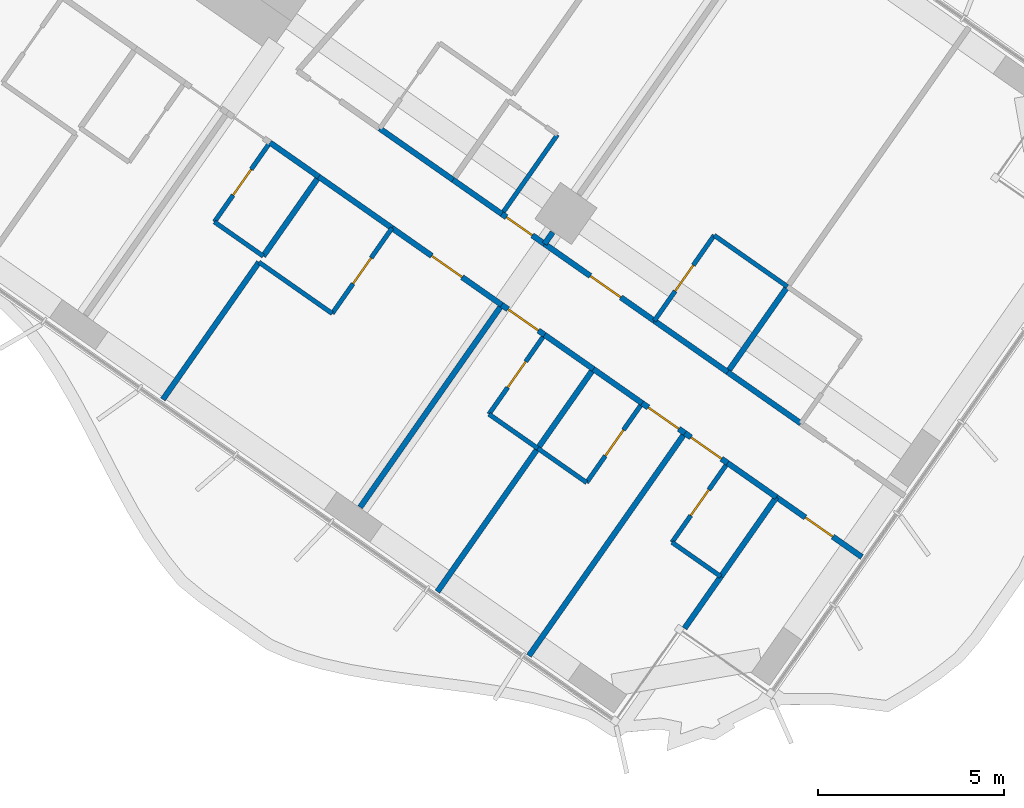
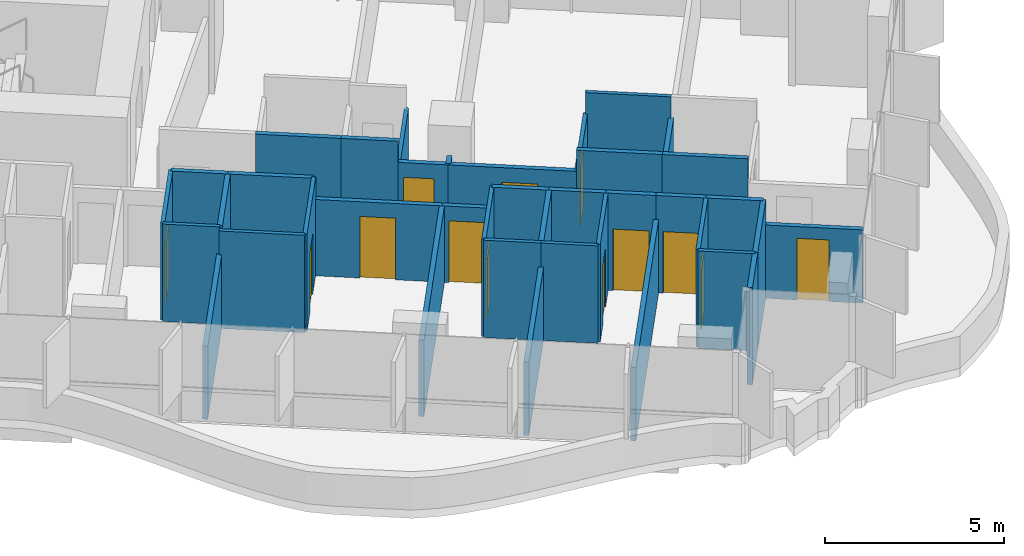
# One storey, part 17 of 25: 39 walls, 13 doors, 13 openings.
"""IFC4 building model written with IfcOpenShell, lengths in metres."""

import ifcopenshell
import ifcopenshell.guid

model = None  # the IFC model being written
_history = None  # IfcOwnerHistory: only IFC2X3 demands one
_inside = {}  # id of a spatial element -> (the spatial element, [elements in it])
_under = {}  # id of a project, library or spatial element -> (it, [spatial elements below it])
_declared = {}  # id of a project -> (the project, [libraries it declares])
_typed = {}  # id of a type object -> (the type object, [elements of that type])
_made_of = {}  # id of a material, layer set ... -> (it, [elements and type objects made of it])


def new_model(schema):
    """Start an empty IFC model of exactly this schema.

    Asked for "IFC4X3", IfcOpenShell would pick the latest addendum, in which some entities
    have other attributes; the version numbers below select the first issue.
    IFC2X3 requires an IfcOwnerHistory on every rooted entity: one is made here for all.
    """
    global model, _history
    if schema == "IFC4X3":
        model = ifcopenshell.file(schema_version=(4, 3, 0, 0))
    else:
        model = ifcopenshell.file(schema=schema)
    _inside.clear()
    _under.clear()
    _declared.clear()
    _typed.clear()
    _made_of.clear()
    _history = None
    if model.schema == "IFC2X3":
        org = make("IfcOrganization", Name="unknown")
        user = make(
            "IfcPersonAndOrganization",
            ThePerson=make("IfcPerson", FamilyName="unknown"),
            TheOrganization=org,
        )
        app = make(
            "IfcApplication",
            ApplicationDeveloper=org,
            Version="unknown",
            ApplicationFullName="unknown",
            ApplicationIdentifier="unknown",
        )
        _history = make(
            "IfcOwnerHistory",
            OwningUser=user,
            OwningApplication=app,
            ChangeAction="ADDED",
            CreationDate=0,
        )
    return model


def make(cls, **values):
    """One entity of the class cls with the attributes given. An attribute that is None is left unset."""
    return model.create_entity(
        cls, **{name: value for name, value in values.items() if value is not None}
    )


def rooted(cls, **values):
    """An entity with a GlobalId (a new one), such as an element, a storey or a relation."""
    return make(cls, GlobalId=ifcopenshell.guid.new(), OwnerHistory=_history, **values)


def si_unit(unit_type, name, prefix=None):
    """IfcSIUnit, for example si_unit("LENGTHUNIT", "METRE", prefix="MILLI")."""
    return make("IfcSIUnit", UnitType=unit_type, Prefix=prefix, Name=name)


def assignment(units):
    """IfcUnitAssignment: the units of a project."""
    return None if units is None else make("IfcUnitAssignment", Units=units)


def point(xyz):
    """IfcCartesianPoint."""
    return None if xyz is None else make("IfcCartesianPoint", Coordinates=xyz)


def direction(xyz):
    """IfcDirection."""
    return None if xyz is None else make("IfcDirection", DirectionRatios=xyz)


def frame(location, z_axis=None, x_axis=None):
    """IfcAxis2Placement3D, a coordinate frame: its origin and axes. An axis left out is left unset."""
    return make(
        "IfcAxis2Placement3D",
        Location=point(location),
        Axis=direction(z_axis),
        RefDirection=direction(x_axis),
    )


def frame_2d(location, x_axis=None):
    """IfcAxis2Placement2D, a coordinate frame in the plane: its origin and x axis."""
    return make(
        "IfcAxis2Placement2D", Location=point(location), RefDirection=direction(x_axis)
    )


def origin():
    """The frame at (0, 0, 0) with its axes left unset."""
    return frame((0.0, 0.0, 0.0))


def place(relative_to, where):
    """IfcLocalPlacement: puts the frame where relative to a parent placement (None: the world)."""
    return make(
        "IfcLocalPlacement", PlacementRelTo=relative_to, RelativePlacement=where
    )


def context(
    kind, dimensions, precision=None, world=None, true_north=None, identifier=None
):
    """IfcGeometricRepresentationContext, for example the 3D "Model" context."""
    return make(
        "IfcGeometricRepresentationContext",
        ContextIdentifier=identifier,
        ContextType=kind,
        CoordinateSpaceDimension=dimensions,
        Precision=precision,
        WorldCoordinateSystem=world,
        TrueNorth=true_north,
    )


def subcontext(parent, identifier, kind, view, scale=None):
    """IfcGeometricRepresentationSubContext, for example "Body" below "Model"."""
    return make(
        "IfcGeometricRepresentationSubContext",
        ContextIdentifier=identifier,
        ContextType=kind,
        ParentContext=parent,
        TargetScale=scale,
        TargetView=view,
    )


def project(units=None, contexts=None):
    """IfcProject with its units and contexts."""
    return rooted(
        "IfcProject",
        Name="project",
        RepresentationContexts=contexts,
        UnitsInContext=assignment(units),
    )


def spatial(cls, under=None, at=None, **own):
    """A site, building, storey or space (cls), placed at a placement, below another one or the project."""
    s = rooted(cls, ObjectPlacement=at, **own)
    if under is not None:
        _under.setdefault(under.id(), (under, []))[1].append(s)
    return s


def profile(cls, at=None, kind="AREA", **sizes):
    """A parametric profile (cls). Its sizes go by their IFC names, for example OverallWidth=200.0."""
    return make(cls, ProfileType=kind, Position=at, **sizes)


def rectangle(**sizes):
    """IfcRectangleProfileDef."""
    return profile("IfcRectangleProfileDef", **sizes)


def extrude(swept, where, along, depth):
    """IfcExtrudedAreaSolid: the profile swept, set in the frame where, extruded along a direction by depth."""
    return make(
        "IfcExtrudedAreaSolid",
        SweptArea=swept,
        Position=where,
        ExtrudedDirection=direction(along),
        Depth=depth,
    )


def shape(context_of_items, identifier, shape_type, items):
    """IfcShapeRepresentation: the items that make up one representation, for example the "Body"."""
    return make(
        "IfcShapeRepresentation",
        ContextOfItems=context_of_items,
        RepresentationIdentifier=identifier,
        RepresentationType=shape_type,
        Items=items,
    )


def material(Name=None, Category=None):
    """IfcMaterial."""
    return make("IfcMaterial", Name=Name, Category=Category)


def layer(
    of_material, thickness, ventilated=None, Name=None, Category=None, Priority=None
):
    """IfcMaterialLayer: one layer of a wall or slab, of a material (None: an air gap)."""
    return make(
        "IfcMaterialLayer",
        Material=of_material,
        LayerThickness=thickness,
        IsVentilated=ventilated,
        Name=Name,
        Category=Category,
        Priority=Priority,
    )


def layer_set(layers, Name=None):
    """IfcMaterialLayerSet."""
    return make("IfcMaterialLayerSet", MaterialLayers=layers, LayerSetName=Name)


def made_of(thing, what):
    """Note that an element or type object is made of a material, layer set ...; save() writes the relation."""
    if what is not None:
        _made_of.setdefault(what.id(), (what, []))[1].append(thing)
    return thing


def type_object(cls, material=None, **own):
    """A type object (cls), such as IfcWallType, which elements share."""
    return made_of(rooted(cls, **own), material)


def element(
    cls,
    number,
    at=None,
    inside=None,
    cuts=None,
    type_object=None,
    material=None,
    context=None,
    identifier="Body",
    shape_type=None,
    held_by="IfcProductDefinitionShape",
    body=None,
    shapes=None,
    **own,
):
    """One element of the class cls, such as IfcWall. Its Tag is "e" and its number.

    at: its placement. inside: the storey or other place that contains it. cuts: it is an
    opening in that element (IfcRelVoidsElement). A single representation is given by context,
    identifier, shape_type and body (its items); several are given by shapes. held_by: the class
    of the entity that holds the representations. save() writes the other relations.
    """
    e = rooted(cls, Tag="e%d" % number, ObjectPlacement=at, **own)
    if body is not None:
        shapes = [shape(context, identifier, shape_type, body)]
    if shapes is not None:
        e.Representation = make(held_by, Representations=shapes)
    if inside is not None:
        _inside.setdefault(inside.id(), (inside, []))[1].append(e)
    if cuts is not None:
        rooted(
            "IfcRelVoidsElement", RelatingBuildingElement=cuts, RelatedOpeningElement=e
        )
    if type_object is not None:
        _typed.setdefault(type_object.id(), (type_object, []))[1].append(e)
    return made_of(e, material)


def fill(opening, filler):
    """IfcRelFillsElement: the door or window that sits in an opening."""
    return rooted(
        "IfcRelFillsElement",
        RelatingOpeningElement=opening,
        RelatedBuildingElement=filler,
    )


def aggregate(whole, parts):
    """IfcRelAggregates: a whole, such as a stair, and the parts it consists of."""
    return rooted("IfcRelAggregates", RelatingObject=whole, RelatedObjects=parts)


def save(model, path):
    """Write the relations noted so far, then the file.

    IfcRelAggregates (storeys below a building ...), IfcRelContainedInSpatialStructure (elements
    in a storey), IfcRelDefinesByType, IfcRelAssociatesMaterial and IfcRelDeclares: one each for
    every whole, place, type object, material and project.
    """
    for whole, parts in _under.values():
        aggregate(whole, parts)
    for where, things in _inside.values():
        rooted(
            "IfcRelContainedInSpatialStructure",
            RelatedElements=things,
            RelatingStructure=where,
        )
    for kind, things in _typed.values():
        rooted("IfcRelDefinesByType", RelatedObjects=things, RelatingType=kind)
    for what, things in _made_of.values():
        rooted("IfcRelAssociatesMaterial", RelatedObjects=things, RelatingMaterial=what)
    for by, libraries in _declared.values():
        rooted("IfcRelDeclares", RelatingContext=by, RelatedDefinitions=libraries)
    model.write(path)


model = new_model("IFC4")

# Units and contexts
model_context = context("Model", 3, precision=1e-05, world=origin(), true_north=direction((0.0, 1.0)))
body_context = subcontext(model_context, "Body", "Model", "MODEL_VIEW")
ifc_project = project(units=[si_unit("LENGTHUNIT", "METRE"), si_unit("AREAUNIT", "SQUARE_METRE"), si_unit("VOLUMEUNIT", "CUBIC_METRE"), si_unit("PLANEANGLEUNIT", "RADIAN"), si_unit("MASSUNIT", "GRAM", prefix="KILO")], contexts=[model_context])

# Site, building, storey
site_placement = place(None, origin())
site = spatial("IfcSite", under=ifc_project, at=site_placement, CompositionType="ELEMENT")
building_placement = place(site_placement, origin())
building = spatial("IfcBuilding", under=site, at=building_placement, Name="Tel Ilan Convention Tower", CompositionType="ELEMENT")
storey_placement = place(building_placement, frame((0.0, 0.0, 54.5)))
storey = spatial("IfcBuildingStorey", under=building, at=storey_placement, Name="L08", CompositionType="ELEMENT", Elevation=54.5)

# Wall
ifc_material_1 = material(Name="Plasterboard on Steel Studs", Category="steel")
ifc_layer_1 = layer(ifc_material_1, 0.14990234375)
ifc_layer_set_1 = layer_set([ifc_layer_1], Name="Fire-rated Partition 150 EI 60")
wall_type_1 = type_object("IfcWallType", Name="Fire-rated Partition 150 EI 60", PredefinedType="PARTITIONING", material=ifc_layer_set_1)
wall_1_placement = place(storey_placement, frame((24.49072265625, -18.369384765625, 0.0), z_axis=(0.0, 0.0, 1.0), x_axis=(0.819179439794, -0.573537309527, 0.0)))
element("IfcWall", 1, at=wall_1_placement, inside=storey, type_object=wall_type_1, Name="Partition 002", PredefinedType="PARTITIONING", context=body_context, shape_type="SweptSolid", body=[
    extrude(rectangle(XDim=2.404296875, YDim=0.14990234375, at=frame_2d((1.2021484375, 0.0))), origin(), (0.0, 0.0, 1.0), 3.320068359375),
])

# Wall, opening, door
wall_2_placement = place(storey_placement, frame((28.91748046875, -21.468994140625, 0.0), z_axis=(0.0, 0.0, 1.0), x_axis=(-0.81914197737, 0.573590813132, 0.0)))
wall_2 = element("IfcWall", 2, at=wall_2_placement, inside=storey, type_object=wall_type_1, Name="Partition 003", PredefinedType="PARTITIONING", context=body_context, shape_type="SweptSolid", body=[
    extrude(rectangle(XDim=1.40283203125, YDim=0.14990234375, at=frame_2d((0.701416015625, 0.0))), origin(), (0.0, 0.0, 1.0), 2.60009765625),
])
opening_1_placement = place(wall_2_placement, frame((0.403076171875, 0.0, 0.0)))
opening_1 = element("IfcOpeningElement", 3, at=opening_1_placement, cuts=wall_2, Name="Opening L08-046", PredefinedType="OPENING", context=body_context, shape_type="SweptSolid", body=[
    extrude(rectangle(XDim=0.85009765625, YDim=2.10009765625, at=frame_2d((0.425048828125, 1.050048828125))), frame((0.0, 0.0849609375, 0.0), z_axis=(0.0, -1.0, 0.0), x_axis=(1.0, 0.0, 0.0)), (0.0, 0.0, 1.0), 0.169921875),
])
ifc_material_2 = material(Name="Timber Door Leaf in Steel Frame", Category="steel")
door_type_1 = type_object("IfcDoorType", Name="Room Fire Door 850x2100", OperationType="NOTDEFINED", PredefinedType="DOOR", material=ifc_material_2)
door_1_placement = place(opening_1_placement, origin())
door_1 = element("IfcDoor", 4, at=door_1_placement, inside=storey, type_object=door_type_1, Name="Door L08-046", OperationType="SINGLE_SWING_RIGHT", OverallHeight=2.10009765625, OverallWidth=0.85009765625, PredefinedType="DOOR", context=body_context, shape_type="SweptSolid", body=[
    extrude(rectangle(XDim=0.85009765625, YDim=2.10009765625, at=frame_2d((0.425048828125, 1.050048828125))), frame((0.0, 0.02490234375, 0.0), z_axis=(0.0, -1.0, 0.0), x_axis=(1.0, 0.0, 0.0)), (0.0, 0.0, 1.0), 0.050048828125),
])
fill(opening_1, door_1)

# Wall
wall_3_placement = place(storey_placement, frame((26.456787109375, -19.74609375, 0.0), z_axis=(0.0, 0.0, 1.0), x_axis=(0.819189013667, -0.573523634986, 0.0)))
element("IfcWall", 5, at=wall_3_placement, inside=storey, type_object=wall_type_1, Name="Partition 004", PredefinedType="PARTITIONING", context=body_context, shape_type="SweptSolid", body=[
    extrude(rectangle(XDim=1.60400390625, YDim=0.14990234375, at=frame_2d((0.802001953125, 0.0))), origin(), (0.0, 0.0, 1.0), 3.320068359375),
])

# Wall, opening, door
wall_4_placement = place(storey_placement, frame((28.914306640625, -21.466796875, 0.0), z_axis=(0.0, 0.0, 1.0), x_axis=(0.819145961204, -0.573585123798, 0.0)))
wall_4 = element("IfcWall", 6, at=wall_4_placement, inside=storey, type_object=wall_type_1, Name="Partition 005", PredefinedType="PARTITIONING", context=body_context, shape_type="SweptSolid", body=[
    extrude(rectangle(XDim=3.60302734375, YDim=0.14990234375, at=frame_2d((1.801513671875, 0.0))), origin(), (0.0, 0.0, 1.0), 2.60009765625),
])
opening_2_placement = place(wall_4_placement, frame((1.501953125, 0.0, 0.0)))
opening_2 = element("IfcOpeningElement", 7, at=opening_2_placement, cuts=wall_4, Name="Opening L08-048", PredefinedType="OPENING", context=body_context, shape_type="SweptSolid", body=[
    extrude(rectangle(XDim=1.0, YDim=2.10009765625, at=frame_2d((0.5, 1.050048828125))), frame((0.0, 0.0849609375, 0.0), z_axis=(0.0, -1.0, 0.0), x_axis=(1.0, 0.0, 0.0)), (0.0, 0.0, 1.0), 0.169921875),
])
ifc_material_3 = material(Name="Timber Door Leaf in Steel Frame", Category="steel")
door_type_2 = type_object("IfcDoorType", Name="Hotel Room Entrance Fire Door 1000x2100", OperationType="NOTDEFINED", PredefinedType="DOOR", material=ifc_material_3)
door_2_placement = place(opening_2_placement, origin())
door_2 = element("IfcDoor", 8, at=door_2_placement, inside=storey, type_object=door_type_2, Name="Door L08-048", OperationType="SINGLE_SWING_RIGHT", OverallHeight=2.10009765625, OverallWidth=1.0, PredefinedType="DOOR", context=body_context, shape_type="SweptSolid", body=[
    extrude(rectangle(XDim=1.0, YDim=2.10009765625, at=frame_2d((0.5, 1.050048828125))), frame((0.0, 0.02490234375, 0.0), z_axis=(0.0, -1.0, 0.0), x_axis=(1.0, 0.0, 0.0)), (0.0, 0.0, 1.0), 0.050048828125),
])
fill(opening_2, door_2)

# Walls
for number, where, z_axis, x_axis, name in (
    (9, (31.86328125, -23.531494140625, 0.0), (0.0, 0.0, 1.0), (0.819146032251, -0.573585022335, 0.0), "Partition 006"),
    (10, (33.8291015625, -24.908203125, 0.0), (0.0, 0.0, 1.0), (0.819146032251, -0.573585022335, 0.0), "Partition 008"),
):
    element("IfcWall", number, at=place(storey_placement, frame(where, z_axis=z_axis, x_axis=x_axis)), inside=storey, type_object=wall_type_1, Name=name, PredefinedType="PARTITIONING", context=body_context, shape_type="SweptSolid", body=[
        extrude(rectangle(XDim=2.404052734375, YDim=0.14990234375, at=frame_2d((1.2021484375, 0.0))), origin(), (0.0, 0.0, 1.0), 3.320068359375),
    ])

# Wall, opening, door
wall_5_placement = place(storey_placement, frame((37.434814453125, -29.87451171875, 0.0), z_axis=(0.0, 0.0, 1.0), x_axis=(-0.819125488359, 0.573614360281, 0.0)))
wall_5 = element("IfcWall", 11, at=wall_5_placement, inside=storey, type_object=wall_type_1, Name="Partition 010", PredefinedType="PARTITIONING", context=body_context, shape_type="SweptSolid", body=[
    extrude(rectangle(XDim=2.80224609375, YDim=0.14990234375, at=frame_2d((1.401123046875, 0.0))), origin(), (0.0, 0.0, 1.0), 2.5),
])
opening_3_placement = place(wall_5_placement, frame((0.950927734375, 0.0, 0.0)))
opening_3 = element("IfcOpeningElement", 12, at=opening_3_placement, cuts=wall_5, Name="Opening L08-042", PredefinedType="OPENING", context=body_context, shape_type="SweptSolid", body=[
    extrude(rectangle(XDim=0.89990234375, YDim=2.10009765625, at=frame_2d((0.449951171875, 1.050048828125))), frame((0.0, 0.0849609375, 0.0), z_axis=(0.0, -1.0, 0.0), x_axis=(1.0, 0.0, 0.0)), (0.0, 0.0, 1.0), 0.169921875),
])
ifc_material_4 = material(Name="Timber Door Leaf in Steel Frame", Category="steel")
door_type_3 = type_object("IfcDoorType", Name="Room Fire Door 900x2100", OperationType="NOTDEFINED", PredefinedType="DOOR", material=ifc_material_4)
door_3_placement = place(opening_3_placement, origin())
door_3 = element("IfcDoor", 13, at=door_3_placement, inside=storey, type_object=door_type_3, Name="Door L08-042", OperationType="SINGLE_SWING_RIGHT", OverallHeight=2.10009765625, OverallWidth=0.89990234375, PredefinedType="DOOR", context=body_context, shape_type="SweptSolid", body=[
    extrude(rectangle(XDim=0.89990234375, YDim=2.10009765625, at=frame_2d((0.449951171875, 1.050048828125))), frame((0.0, 0.02490234375, 0.0), z_axis=(0.0, -1.0, 0.0), x_axis=(1.0, 0.0, 0.0)), (0.0, 0.0, 1.0), 0.050048828125),
])
fill(opening_3, door_3)

# Wall
wall_6_placement = place(storey_placement, frame((22.85546875, -19.666015625, 0.0), z_axis=(0.0, 0.0, 1.0), x_axis=(-0.819117502046, 0.573625764625, 0.0)))
element("IfcWall", 14, at=wall_6_placement, inside=storey, type_object=wall_type_1, Name="Partition 019", PredefinedType="PARTITIONING", context=body_context, shape_type="SweptSolid", body=[
    extrude(rectangle(XDim=1.60400390625, YDim=0.14990234375, at=frame_2d((0.802001953125, 0.0))), origin(), (0.0, 0.0, 1.0), 3.320068359375),
])

# Wall, opening, door
wall_7_placement = place(storey_placement, frame((27.7705078125, -23.107421875, 0.0), z_axis=(0.0, 0.0, 1.0), x_axis=(-0.819145961204, 0.573585123798, 0.0)))
wall_7 = element("IfcWall", 15, at=wall_7_placement, inside=storey, type_object=wall_type_1, Name="Partition 020", PredefinedType="PARTITIONING", context=body_context, shape_type="SweptSolid", body=[
    extrude(rectangle(XDim=3.60302734375, YDim=0.14990234375, at=frame_2d((1.801513671875, 0.0))), origin(), (0.0, 0.0, 1.0), 2.60009765625),
])
opening_4_placement = place(wall_7_placement, frame((1.302001953125, 0.0, 0.0)))
opening_4 = element("IfcOpeningElement", 16, at=opening_4_placement, cuts=wall_7, Name="Opening L08-035", PredefinedType="OPENING", context=body_context, shape_type="SweptSolid", body=[
    extrude(rectangle(XDim=1.0, YDim=2.10009765625, at=frame_2d((0.5, 1.050048828125))), frame((0.0, 0.0849609375, 0.0), z_axis=(0.0, -1.0, 0.0), x_axis=(1.0, 0.0, 0.0)), (0.0, 0.0, 1.0), 0.169921875),
])
door_4_placement = place(opening_4_placement, origin())
door_4 = element("IfcDoor", 17, at=door_4_placement, inside=storey, type_object=door_type_2, Name="Door L08-035", OperationType="SINGLE_SWING_LEFT", OverallHeight=2.10009765625, OverallWidth=1.0, PredefinedType="DOOR", context=body_context, shape_type="SweptSolid", body=[
    extrude(rectangle(XDim=1.0, YDim=2.10009765625, at=frame_2d((0.5, 1.050048828125))), frame((0.0, 0.02490234375, 0.0), z_axis=(0.0, -1.0, 0.0), x_axis=(1.0, 0.0, 0.0)), (0.0, 0.0, 1.0), 0.050048828125),
])
fill(opening_4, door_4)

# Wall
wall_8_placement = place(storey_placement, frame((24.8212890625, -21.04248046875, 0.0), z_axis=(0.0, 0.0, 1.0), x_axis=(-0.81911261637, 0.573632741136, 0.0)))
element("IfcWall", 18, at=wall_8_placement, inside=storey, type_object=wall_type_1, Name="Partition 021", PredefinedType="PARTITIONING", context=body_context, shape_type="SweptSolid", body=[
    extrude(rectangle(XDim=2.40380859375, YDim=0.14990234375, at=frame_2d((1.201904296875, 0.0))), origin(), (0.0, 0.0, 1.0), 3.320068359375),
])

# Wall, opening, door
wall_9_placement = place(storey_placement, frame((28.91650390625, -23.909912109375, 0.0), z_axis=(0.0, 0.0, 1.0), x_axis=(-0.819117471667, 0.573625808005, 0.0)))
wall_9 = element("IfcWall", 19, at=wall_9_placement, inside=storey, type_object=wall_type_1, Name="Partition 022", PredefinedType="PARTITIONING", context=body_context, shape_type="SweptSolid", body=[
    extrude(rectangle(XDim=1.4033203125, YDim=0.14990234375, at=frame_2d((0.70166015625, 0.0))), origin(), (0.0, 0.0, 1.0), 2.60009765625),
])
opening_5_placement = place(wall_9_placement, frame((0.200927734375, 0.0, 0.0)))
opening_5 = element("IfcOpeningElement", 20, at=opening_5_placement, cuts=wall_9, Name="Opening L08-037", PredefinedType="OPENING", context=body_context, shape_type="SweptSolid", body=[
    extrude(rectangle(XDim=1.0, YDim=2.10009765625, at=frame_2d((0.5, 1.050048828125))), frame((0.0, 0.0849609375, 0.0), z_axis=(0.0, -1.0, 0.0), x_axis=(1.0, 0.0, 0.0)), (0.0, 0.0, 1.0), 0.169921875),
])
door_5_placement = place(opening_5_placement, origin())
door_5 = element("IfcDoor", 21, at=door_5_placement, inside=storey, type_object=door_type_2, Name="Door L08-037", OperationType="SINGLE_SWING_RIGHT", OverallHeight=2.10009765625, OverallWidth=1.0, PredefinedType="DOOR", context=body_context, shape_type="SweptSolid", body=[
    extrude(rectangle(XDim=1.0, YDim=2.10009765625, at=frame_2d((0.5, 1.050048828125))), frame((0.0, 0.02490234375, 0.0), z_axis=(0.0, -1.0, 0.0), x_axis=(1.0, 0.0, 0.0)), (0.0, 0.0, 1.0), 0.050048828125),
])
fill(opening_5, door_5)

# Wall
wall_10_placement = place(storey_placement, frame((30.227783203125, -24.828125, 0.0), z_axis=(0.0, 0.0, 1.0), x_axis=(-0.819189013667, 0.573523634986, 0.0)))
element("IfcWall", 22, at=wall_10_placement, inside=storey, type_object=wall_type_1, Name="Partition 023", PredefinedType="PARTITIONING", context=body_context, shape_type="SweptSolid", body=[
    extrude(rectangle(XDim=1.60400390625, YDim=0.14990234375, at=frame_2d((0.802001953125, 0.0))), origin(), (0.0, 0.0, 1.0), 3.320068359375),
])

# Wall, opening, door
wall_11_placement = place(storey_placement, frame((32.685302734375, -26.548828125, 0.0), z_axis=(0.0, 0.0, 1.0), x_axis=(-0.819199220913, 0.573509055252, 0.0)))
wall_11 = element("IfcWall", 23, at=wall_11_placement, inside=storey, type_object=wall_type_1, Name="Partition 024", PredefinedType="PARTITIONING", context=body_context, shape_type="SweptSolid", body=[
    extrude(rectangle(XDim=1.403076171875, YDim=0.14990234375, at=frame_2d((0.70166015625, 0.0))), origin(), (0.0, 0.0, 1.0), 3.320068359375),
])
opening_6_placement = place(wall_11_placement, frame((0.201904296875, 0.0, 0.0)))
opening_6 = element("IfcOpeningElement", 24, at=opening_6_placement, cuts=wall_11, Name="Opening L08-039", PredefinedType="OPENING", context=body_context, shape_type="SweptSolid", body=[
    extrude(rectangle(XDim=1.0, YDim=2.10009765625, at=frame_2d((0.5, 1.050048828125))), frame((0.0, 0.0849609375, 0.0), z_axis=(0.0, -1.0, 0.0), x_axis=(1.0, 0.0, 0.0)), (0.0, 0.0, 1.0), 0.169921875),
])
door_6_placement = place(opening_6_placement, origin())
door_6 = element("IfcDoor", 25, at=door_6_placement, inside=storey, type_object=door_type_2, Name="Door L08-039", OperationType="SINGLE_SWING_RIGHT", OverallHeight=2.10009765625, OverallWidth=1.0, PredefinedType="DOOR", context=body_context, shape_type="SweptSolid", body=[
    extrude(rectangle(XDim=1.0, YDim=2.10009765625, at=frame_2d((0.5, 1.050048828125))), frame((0.0, 0.02490234375, 0.0), z_axis=(0.0, -1.0, 0.0), x_axis=(1.0, 0.0, 0.0)), (0.0, 0.0, 1.0), 0.050048828125),
])
fill(opening_6, door_6)

# Wall
wall_12_placement = place(storey_placement, frame((31.53857421875, -25.745849609375, 0.0), z_axis=(0.0, 0.0, 1.0), x_axis=(-0.819117502046, 0.573625764625, 0.0)))
element("IfcWall", 26, at=wall_12_placement, inside=storey, type_object=wall_type_1, Name="Partition 025", PredefinedType="PARTITIONING", context=body_context, shape_type="SweptSolid", body=[
    extrude(rectangle(XDim=1.60400390625, YDim=0.14990234375, at=frame_2d((0.802001953125, 0.0))), origin(), (0.0, 0.0, 1.0), 3.320068359375),
])

# Wall, opening, door
wall_13_placement = place(storey_placement, frame((33.831298828125, -27.351318359375, 0.0), z_axis=(0.0, 0.0, 1.0), x_axis=(-0.819117471667, 0.573625808005, 0.0)))
wall_13 = element("IfcWall", 27, at=wall_13_placement, inside=storey, type_object=wall_type_1, Name="Partition 026", PredefinedType="PARTITIONING", context=body_context, shape_type="SweptSolid", body=[
    extrude(rectangle(XDim=1.4033203125, YDim=0.14990234375, at=frame_2d((0.70166015625, 0.0))), origin(), (0.0, 0.0, 1.0), 3.320068359375),
])
opening_7_placement = place(wall_13_placement, frame((0.200927734375, 0.0, 0.0)))
opening_7 = element("IfcOpeningElement", 28, at=opening_7_placement, cuts=wall_13, Name="Opening L08-041", PredefinedType="OPENING", context=body_context, shape_type="SweptSolid", body=[
    extrude(rectangle(XDim=1.0, YDim=2.10009765625, at=frame_2d((0.5, 1.050048828125))), frame((0.0, 0.0849609375, 0.0), z_axis=(0.0, -1.0, 0.0), x_axis=(1.0, 0.0, 0.0)), (0.0, 0.0, 1.0), 0.169921875),
])
door_7_placement = place(opening_7_placement, origin())
door_7 = element("IfcDoor", 29, at=door_7_placement, inside=storey, type_object=door_type_2, Name="Door L08-041", OperationType="SINGLE_SWING_RIGHT", OverallHeight=2.10009765625, OverallWidth=1.0, PredefinedType="DOOR", context=body_context, shape_type="SweptSolid", body=[
    extrude(rectangle(XDim=1.0, YDim=2.10009765625, at=frame_2d((0.5, 1.050048828125))), frame((0.0, 0.02490234375, 0.0), z_axis=(0.0, -1.0, 0.0), x_axis=(1.0, 0.0, 0.0)), (0.0, 0.0, 1.0), 0.050048828125),
])
fill(opening_7, door_7)

# Walls
wall_14_placement = place(storey_placement, frame((35.142822265625, -28.26953125, 0.0), z_axis=(0.0, 0.0, 1.0), x_axis=(-0.819189013667, 0.573523634986, 0.0)))
element("IfcWall", 30, at=wall_14_placement, inside=storey, type_object=wall_type_1, Name="Partition 027", PredefinedType="PARTITIONING", context=body_context, shape_type="SweptSolid", body=[
    extrude(rectangle(XDim=1.60400390625, YDim=0.14990234375, at=frame_2d((0.802001953125, 0.0))), origin(), (0.0, 0.0, 1.0), 3.320068359375),
])
wall_15_placement = place(storey_placement, frame((29.1337890625, -21.156494140625, 0.0), z_axis=(0.0, 0.0, 1.0), x_axis=(-0.572944929411, -0.819593867633, 0.0)))
element("IfcWall", 31, at=wall_15_placement, inside=storey, type_object=wall_type_1, Name="Partition 061", PredefinedType="PARTITIONING", context=body_context, shape_type="SweptSolid", body=[
    extrude(rectangle(XDim=0.380126953125, YDim=0.14990234375, at=frame_2d((0.18994140625, 0.0))), origin(), (0.0, 0.0, 1.0), 2.60009765625),
])
wall_16_placement = place(storey_placement, frame((35.436767578125, -22.61572265625, 0.0), z_axis=(0.0, 0.0, 1.0), x_axis=(-0.573550118428, -0.819170471667, 0.0)))
element("IfcWall", 32, at=wall_16_placement, inside=storey, type_object=wall_type_1, Name="Partition 065", PredefinedType="PARTITIONING", context=body_context, shape_type="SweptSolid", body=[
    extrude(rectangle(XDim=2.800048828125, YDim=0.14990234375, at=frame_2d((1.39990234375, 0.0))), origin(), (0.0, 0.0, 1.0), 2.60009765625),
])
wall_17_placement = place(storey_placement, frame((33.650390625, -30.3974609375, 0.0), z_axis=(0.0, 0.0, 1.0), x_axis=(-0.573568305454, -0.819157737544, 0.0)))
element("IfcWall", 33, at=wall_17_placement, inside=storey, type_object=wall_type_1, Name="Partition 072", PredefinedType="PARTITIONING", context=body_context, shape_type="SweptSolid", body=[
    extrude(rectangle(XDim=1.700927734375, YDim=0.14990234375, at=frame_2d((0.8505859375, 0.0))), origin(), (0.0, 0.0, 1.0), 3.320068359375),
])
wall_18_placement = place(storey_placement, frame((33.648681640625, -30.39990234375, 0.0), z_axis=(0.0, 0.0, 1.0), x_axis=(0.573544201094, 0.819174614714, 0.0)))
element("IfcWall", 34, at=wall_18_placement, inside=storey, type_object=wall_type_1, Name="Partition 073", PredefinedType="PARTITIONING", context=body_context, shape_type="SweptSolid", body=[
    extrude(rectangle(XDim=2.60205078125, YDim=0.14990234375, at=frame_2d((1.301025390625, 0.0))), origin(), (0.0, 0.0, 1.0), 3.320068359375),
])
wall_19_placement = place(storey_placement, frame((21.248291015625, -21.95751953125, 0.0), z_axis=(0.0, 0.0, 1.0), x_axis=(-0.573556991349, -0.819165659482, 0.0)))
element("IfcWall", 35, at=wall_19_placement, inside=storey, type_object=wall_type_1, Name="Partition 087", PredefinedType="PARTITIONING", context=body_context, shape_type="SweptSolid", body=[
    extrude(rectangle(XDim=4.5009765625, YDim=0.14990234375, at=frame_2d((2.25048828125, 0.0))), origin(), (0.0, 0.0, 1.0), 2.5),
])
wall_20_placement = place(storey_placement, frame((22.853759765625, -19.664794921875, 0.0), z_axis=(0.0, 0.0, 1.0), x_axis=(-0.573582085028, -0.819148089014, 0.0)))
element("IfcWall", 36, at=wall_20_placement, inside=storey, type_object=wall_type_1, Name="Partition 088", PredefinedType="PARTITIONING", context=body_context, shape_type="SweptSolid", body=[
    extrude(rectangle(XDim=2.599853515625, YDim=0.14990234375, at=frame_2d((1.2998046875, 0.0))), origin(), (0.0, 0.0, 1.0), 3.320068359375),
])
wall_21_placement = place(storey_placement, frame((27.768798828125, -23.106201171875, 0.0), z_axis=(0.0, 0.0, 1.0), x_axis=(-0.57359826181, -0.819136761505, 0.0)))
element("IfcWall", 37, at=wall_21_placement, inside=storey, type_object=wall_type_1, Name="Partition 091", PredefinedType="PARTITIONING", context=body_context, shape_type="SweptSolid", body=[
    extrude(rectangle(XDim=6.630126953125, YDim=0.14990234375, at=frame_2d((3.31494140625, 0.0))), origin(), (0.0, 0.0, 1.0), 2.60009765625),
])
wall_22_placement = place(storey_placement, frame((28.734375, -26.95751953125, 0.0), z_axis=(0.0, 0.0, 1.0), x_axis=(-0.573594842236, -0.819139156041, 0.0)))
element("IfcWall", 38, at=wall_22_placement, inside=storey, type_object=wall_type_1, Name="Partition 094", PredefinedType="PARTITIONING", context=body_context, shape_type="SweptSolid", body=[
    extrude(rectangle(XDim=4.698974609375, YDim=0.14990234375, at=frame_2d((2.349609375, 0.0))), origin(), (0.0, 0.0, 1.0), 2.5),
])
wall_23_placement = place(storey_placement, frame((30.226318359375, -24.826904296875, 0.0), z_axis=(0.0, 0.0, 1.0), x_axis=(-0.573600972199, -0.819134863556, 0.0)))
element("IfcWall", 39, at=wall_23_placement, inside=storey, type_object=wall_type_1, Name="Partition 095", PredefinedType="PARTITIONING", context=body_context, shape_type="SweptSolid", body=[
    extrude(rectangle(XDim=2.60009765625, YDim=0.14990234375, at=frame_2d((1.300048828125, 0.0))), origin(), (0.0, 0.0, 1.0), 3.320068359375),
])
wall_24_placement = place(storey_placement, frame((32.68359375, -26.547607421875, 0.0), z_axis=(0.0, 0.0, 1.0), x_axis=(-0.573556610931, -0.81916592584, 0.0)))
element("IfcWall", 40, at=wall_24_placement, inside=storey, type_object=wall_type_1, Name="Partition 098", PredefinedType="PARTITIONING", context=body_context, shape_type="SweptSolid", body=[
    extrude(rectangle(XDim=7.300048828125, YDim=0.14990234375, at=frame_2d((3.64990234375, 0.0))), origin(), (0.0, 0.0, 1.0), 2.5),
])
ifc_material_5 = material(Name="Plasterboard on Steel Studs", Category="steel")
ifc_layer_2 = layer(ifc_material_5, 0.1201171875)
ifc_layer_set_2 = layer_set([ifc_layer_2], Name="Moisture-resistant Partition 120")
wall_type_2 = type_object("IfcWallType", Name="Moisture-resistant Partition 120", PredefinedType="PARTITIONING", material=ifc_layer_set_2)
wall_25_placement = place(storey_placement, frame((27.77001953125, -20.66552734375, 0.0), z_axis=(0.0, 0.0, 1.0), x_axis=(0.573537965655, 0.819178980414, 0.0)))
element("IfcWall", 41, at=wall_25_placement, inside=storey, type_object=wall_type_2, Name="Partition 058", PredefinedType="PARTITIONING", context=body_context, shape_type="SweptSolid", body=[
    extrude(rectangle(XDim=2.60009765625, YDim=0.1201171875, at=frame_2d((1.300048828125, 0.0))), origin(), (0.0, 0.0, 1.0), 2.60009765625),
])
wall_26_placement = place(storey_placement, frame((35.4375, -22.614990234375, 0.0), z_axis=(0.0, 0.0, 1.0), x_axis=(-0.819141114317, 0.573592045652, 0.0)))
element("IfcWall", 42, at=wall_26_placement, inside=storey, type_object=wall_type_2, Name="Partition 062", PredefinedType="PARTITIONING", context=body_context, shape_type="SweptSolid", body=[
    extrude(rectangle(XDim=2.400146484375, YDim=0.1201171875, at=frame_2d((1.2001953125, 0.0))), origin(), (0.0, 0.0, 1.0), 3.320068359375),
])

# Wall, opening, door
wall_27_placement = place(storey_placement, frame((33.469970703125, -21.238525390625, 0.0), z_axis=(0.0, 0.0, 1.0), x_axis=(-0.573550118428, -0.819170471667, 0.0)))
wall_27 = element("IfcWall", 43, at=wall_27_placement, inside=storey, type_object=wall_type_2, Name="Partition 063", PredefinedType="PARTITIONING", context=body_context, shape_type="SweptSolid", body=[
    extrude(rectangle(XDim=2.800048828125, YDim=0.1201171875, at=frame_2d((1.39990234375, 0.0))), origin(), (0.0, 0.0, 1.0), 2.60009765625),
])
opening_8_placement = place(wall_27_placement, frame((0.97509765625, 0.0, 0.0)))
opening_8 = element("IfcOpeningElement", 44, at=opening_8_placement, cuts=wall_27, Name="Opening L08-047", PredefinedType="OPENING", context=body_context, shape_type="SweptSolid", body=[
    extrude(rectangle(XDim=0.85009765625, YDim=2.050048828125, at=frame_2d((0.425048828125, 1.02490234375))), frame((0.0, 0.070068359375, 0.0), z_axis=(0.0, -1.0, 0.0), x_axis=(1.0, 0.0, 0.0)), (0.0, 0.0, 1.0), 0.14013671875),
])
ifc_material_6 = material(Name="Timber Door Leaf in Steel Frame", Category="steel")
door_type_4 = type_object("IfcDoorType", Name="Bathroom Timber Door 850x2050", OperationType="NOTDEFINED", PredefinedType="DOOR", material=ifc_material_6)
door_8_placement = place(opening_8_placement, origin())
door_8 = element("IfcDoor", 45, at=door_8_placement, inside=storey, type_object=door_type_4, Name="Door L08-047", OperationType="SINGLE_SWING_LEFT", OverallHeight=2.050048828125, OverallWidth=0.85009765625, PredefinedType="DOOR", context=body_context, shape_type="SweptSolid", body=[
    extrude(rectangle(XDim=0.85009765625, YDim=2.050048828125, at=frame_2d((0.425048828125, 1.02490234375))), frame((0.0, 0.02490234375, 0.0), z_axis=(0.0, -1.0, 0.0), x_axis=(1.0, 0.0, 0.0)), (0.0, 0.0, 1.0), 0.050048828125),
])
fill(opening_8, door_8)

wall_28_placement = place(storey_placement, frame((21.54248046875, -18.74658203125, 0.0), z_axis=(0.0, 0.0, 1.0), x_axis=(-0.573645091666, -0.819103967032, 0.0)))
wall_28 = element("IfcWall", 46, at=wall_28_placement, inside=storey, type_object=wall_type_2, Name="Partition 085", PredefinedType="PARTITIONING", context=body_context, shape_type="SweptSolid", body=[
    extrude(rectangle(XDim=2.599853515625, YDim=0.1201171875, at=frame_2d((1.2998046875, 0.0))), origin(), (0.0, 0.0, 1.0), 3.320068359375),
])
opening_9_placement = place(wall_28_placement, frame((0.875, 0.0, 0.0)))
opening_9 = element("IfcOpeningElement", 47, at=opening_9_placement, cuts=wall_28, Name="Opening L08-032", PredefinedType="OPENING", context=body_context, shape_type="SweptSolid", body=[
    extrude(rectangle(XDim=0.85009765625, YDim=2.050048828125, at=frame_2d((0.425048828125, 1.02490234375))), frame((0.0, 0.070068359375, 0.0), z_axis=(0.0, -1.0, 0.0), x_axis=(1.0, 0.0, 0.0)), (0.0, 0.0, 1.0), 0.14013671875),
])
door_9_placement = place(opening_9_placement, origin())
door_9 = element("IfcDoor", 48, at=door_9_placement, inside=storey, type_object=door_type_4, Name="Door L08-032", OperationType="SINGLE_SWING_LEFT", OverallHeight=2.050048828125, OverallWidth=0.85009765625, PredefinedType="DOOR", context=body_context, shape_type="SweptSolid", body=[
    extrude(rectangle(XDim=0.85009765625, YDim=2.050048828125, at=frame_2d((0.425048828125, 1.02490234375))), frame((0.0, 0.02490234375, 0.0), z_axis=(0.0, -1.0, 0.0), x_axis=(1.0, 0.0, 0.0)), (0.0, 0.0, 1.0), 0.050048828125),
])
fill(opening_9, door_9)

# Walls
wall_29_placement = place(storey_placement, frame((20.05126953125, -20.877685546875, 0.0), z_axis=(0.0, 0.0, 1.0), x_axis=(0.81918174131, -0.573534022273, 0.0)))
element("IfcWall", 49, at=wall_29_placement, inside=storey, type_object=wall_type_2, Name="Partition 086", PredefinedType="PARTITIONING", context=body_context, shape_type="SweptSolid", body=[
    extrude(rectangle(XDim=1.60009765625, YDim=0.1201171875, at=frame_2d((0.800048828125, 0.0))), origin(), (0.0, 0.0, 1.0), 3.320068359375),
])
wall_30_placement = place(storey_placement, frame((21.247314453125, -21.959228515625, 0.0), z_axis=(0.0, 0.0, 1.0), x_axis=(0.819155442668, -0.573571582932, 0.0)))
element("IfcWall", 50, at=wall_30_placement, inside=storey, type_object=wall_type_2, Name="Partition 089", PredefinedType="PARTITIONING", context=body_context, shape_type="SweptSolid", body=[
    extrude(rectangle(XDim=2.39990234375, YDim=0.1201171875, at=frame_2d((1.199951171875, 0.0))), origin(), (0.0, 0.0, 1.0), 3.320068359375),
])

# Wall, opening, door
wall_31_placement = place(storey_placement, frame((23.214599609375, -23.33544921875, 0.0), z_axis=(0.0, 0.0, 1.0), x_axis=(0.573591086599, 0.819141785879, 0.0)))
wall_31 = element("IfcWall", 51, at=wall_31_placement, inside=storey, type_object=wall_type_2, Name="Partition 090", PredefinedType="PARTITIONING", context=body_context, shape_type="SweptSolid", body=[
    extrude(rectangle(XDim=2.7998046875, YDim=0.1201171875, at=frame_2d((1.39990234375, 0.0))), origin(), (0.0, 0.0, 1.0), 3.320068359375),
])
opening_10_placement = place(wall_31_placement, frame((0.97509765625, 0.0, 0.0)))
opening_10 = element("IfcOpeningElement", 52, at=opening_10_placement, cuts=wall_31, Name="Opening L08-034", PredefinedType="OPENING", context=body_context, shape_type="SweptSolid", body=[
    extrude(rectangle(XDim=0.85009765625, YDim=2.050048828125, at=frame_2d((0.425048828125, 1.02490234375))), frame((0.0, 0.070068359375, 0.0), z_axis=(0.0, -1.0, 0.0), x_axis=(1.0, 0.0, 0.0)), (0.0, 0.0, 1.0), 0.14013671875),
])
door_10_placement = place(opening_10_placement, origin())
door_10 = element("IfcDoor", 53, at=door_10_placement, inside=storey, type_object=door_type_4, Name="Door L08-034", OperationType="SINGLE_SWING_RIGHT", OverallHeight=2.050048828125, OverallWidth=0.85009765625, PredefinedType="DOOR", context=body_context, shape_type="SweptSolid", body=[
    extrude(rectangle(XDim=0.85009765625, YDim=2.050048828125, at=frame_2d((0.425048828125, 1.02490234375))), frame((0.0, 0.02490234375, 0.0), z_axis=(0.0, -1.0, 0.0), x_axis=(1.0, 0.0, 0.0)), (0.0, 0.0, 1.0), 0.050048828125),
])
fill(opening_10, door_10)

wall_32_placement = place(storey_placement, frame((28.914794921875, -23.90869140625, 0.0), z_axis=(0.0, 0.0, 1.0), x_axis=(-0.573645091666, -0.819103967032, 0.0)))
wall_32 = element("IfcWall", 54, at=wall_32_placement, inside=storey, type_object=wall_type_2, Name="Partition 092", PredefinedType="PARTITIONING", context=body_context, shape_type="SweptSolid", body=[
    extrude(rectangle(XDim=2.599853515625, YDim=0.1201171875, at=frame_2d((1.2998046875, 0.0))), origin(), (0.0, 0.0, 1.0), 3.320068359375),
])
opening_11_placement = place(wall_32_placement, frame((0.875, 0.0, 0.0)))
opening_11 = element("IfcOpeningElement", 55, at=opening_11_placement, cuts=wall_32, Name="Opening L08-036", PredefinedType="OPENING", context=body_context, shape_type="SweptSolid", body=[
    extrude(rectangle(XDim=0.85009765625, YDim=2.050048828125, at=frame_2d((0.425048828125, 1.02490234375))), frame((0.0, 0.070068359375, 0.0), z_axis=(0.0, -1.0, 0.0), x_axis=(1.0, 0.0, 0.0)), (0.0, 0.0, 1.0), 0.14013671875),
])
door_11_placement = place(opening_11_placement, origin())
door_11 = element("IfcDoor", 56, at=door_11_placement, inside=storey, type_object=door_type_4, Name="Door L08-036", OperationType="SINGLE_SWING_LEFT", OverallHeight=2.050048828125, OverallWidth=0.85009765625, PredefinedType="DOOR", context=body_context, shape_type="SweptSolid", body=[
    extrude(rectangle(XDim=0.85009765625, YDim=2.050048828125, at=frame_2d((0.425048828125, 1.02490234375))), frame((0.0, 0.02490234375, 0.0), z_axis=(0.0, -1.0, 0.0), x_axis=(1.0, 0.0, 0.0)), (0.0, 0.0, 1.0), 0.050048828125),
])
fill(opening_11, door_11)

# Walls
wall_33_placement = place(storey_placement, frame((27.423583984375, -26.039794921875, 0.0), z_axis=(0.0, 0.0, 1.0), x_axis=(0.81918174131, -0.573534022273, 0.0)))
element("IfcWall", 57, at=wall_33_placement, inside=storey, type_object=wall_type_2, Name="Partition 093", PredefinedType="PARTITIONING", context=body_context, shape_type="SweptSolid", body=[
    extrude(rectangle(XDim=1.60009765625, YDim=0.1201171875, at=frame_2d((0.800048828125, 0.0))), origin(), (0.0, 0.0, 1.0), 3.320068359375),
])
wall_34_placement = place(storey_placement, frame((28.734375, -26.95751953125, 0.0), z_axis=(0.0, 0.0, 1.0), x_axis=(0.819131543282, -0.57360571371, 0.0)))
element("IfcWall", 58, at=wall_34_placement, inside=storey, type_object=wall_type_2, Name="Partition 096", PredefinedType="PARTITIONING", context=body_context, shape_type="SweptSolid", body=[
    extrude(rectangle(XDim=1.599853515625, YDim=0.1201171875, at=frame_2d((0.7998046875, 0.0))), origin(), (0.0, 0.0, 1.0), 3.320068359375),
])

# Wall, opening, door
wall_35_placement = place(storey_placement, frame((30.04638671875, -27.875, 0.0), z_axis=(0.0, 0.0, 1.0), x_axis=(0.573537965655, 0.819178980414, 0.0)))
wall_35 = element("IfcWall", 59, at=wall_35_placement, inside=storey, type_object=wall_type_2, Name="Partition 097", PredefinedType="PARTITIONING", context=body_context, shape_type="SweptSolid", body=[
    extrude(rectangle(XDim=2.60009765625, YDim=0.1201171875, at=frame_2d((1.300048828125, 0.0))), origin(), (0.0, 0.0, 1.0), 3.320068359375),
])
opening_12_placement = place(wall_35_placement, frame((0.875, 0.0, 0.0)))
opening_12 = element("IfcOpeningElement", 60, at=opening_12_placement, cuts=wall_35, Name="Opening L08-038", PredefinedType="OPENING", context=body_context, shape_type="SweptSolid", body=[
    extrude(rectangle(XDim=0.85009765625, YDim=2.050048828125, at=frame_2d((0.425048828125, 1.02490234375))), frame((0.0, 0.070068359375, 0.0), z_axis=(0.0, -1.0, 0.0), x_axis=(1.0, 0.0, 0.0)), (0.0, 0.0, 1.0), 0.14013671875),
])
door_12_placement = place(opening_12_placement, origin())
door_12 = element("IfcDoor", 61, at=door_12_placement, inside=storey, type_object=door_type_4, Name="Door L08-038", OperationType="SINGLE_SWING_LEFT", OverallHeight=2.050048828125, OverallWidth=0.85009765625, PredefinedType="DOOR", context=body_context, shape_type="SweptSolid", body=[
    extrude(rectangle(XDim=0.85009765625, YDim=2.050048828125, at=frame_2d((0.425048828125, 1.02490234375))), frame((0.0, 0.02490234375, 0.0), z_axis=(0.0, -1.0, 0.0), x_axis=(1.0, 0.0, 0.0)), (0.0, 0.0, 1.0), 0.050048828125),
])
fill(opening_12, door_12)

wall_36_placement = place(storey_placement, frame((33.82958984375, -27.35009765625, 0.0), z_axis=(0.0, 0.0, 1.0), x_axis=(-0.573537965655, -0.819178980414, 0.0)))
wall_36 = element("IfcWall", 62, at=wall_36_placement, inside=storey, type_object=wall_type_2, Name="Partition 099", PredefinedType="PARTITIONING", context=body_context, shape_type="SweptSolid", body=[
    extrude(rectangle(XDim=2.60009765625, YDim=0.1201171875, at=frame_2d((1.300048828125, 0.0))), origin(), (0.0, 0.0, 1.0), 3.320068359375),
])
opening_13_placement = place(wall_36_placement, frame((0.875, 0.0, 0.0)))
opening_13 = element("IfcOpeningElement", 63, at=opening_13_placement, cuts=wall_36, Name="Opening L08-040", PredefinedType="OPENING", context=body_context, shape_type="SweptSolid", body=[
    extrude(rectangle(XDim=0.85009765625, YDim=2.050048828125, at=frame_2d((0.425048828125, 1.02490234375))), frame((0.0, 0.070068359375, 0.0), z_axis=(0.0, -1.0, 0.0), x_axis=(1.0, 0.0, 0.0)), (0.0, 0.0, 1.0), 0.14013671875),
])
door_13_placement = place(opening_13_placement, origin())
door_13 = element("IfcDoor", 64, at=door_13_placement, inside=storey, type_object=door_type_4, Name="Door L08-040", OperationType="SINGLE_SWING_LEFT", OverallHeight=2.050048828125, OverallWidth=0.85009765625, PredefinedType="DOOR", context=body_context, shape_type="SweptSolid", body=[
    extrude(rectangle(XDim=0.85009765625, YDim=2.050048828125, at=frame_2d((0.425048828125, 1.02490234375))), frame((0.0, 0.02490234375, 0.0), z_axis=(0.0, -1.0, 0.0), x_axis=(1.0, 0.0, 0.0)), (0.0, 0.0, 1.0), 0.050048828125),
])
fill(opening_13, door_13)

# Wall
wall_37_placement = place(storey_placement, frame((32.338623046875, -29.481201171875, 0.0), z_axis=(0.0, 0.0, 1.0), x_axis=(0.819131543282, -0.57360571371, 0.0)))
element("IfcWall", 65, at=wall_37_placement, inside=storey, type_object=wall_type_2, Name="Partition 100", PredefinedType="PARTITIONING", context=body_context, shape_type="SweptSolid", body=[
    extrude(rectangle(XDim=1.599853515625, YDim=0.1201171875, at=frame_2d((0.7998046875, 0.0))), origin(), (0.0, 0.0, 1.0), 3.320068359375),
])

save(model, "model.ifc")
